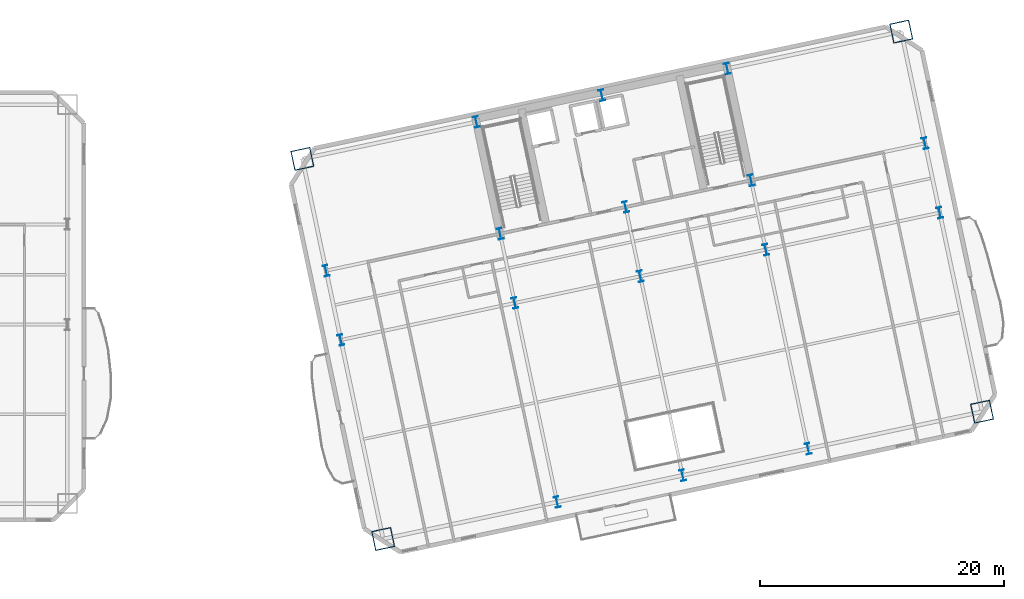
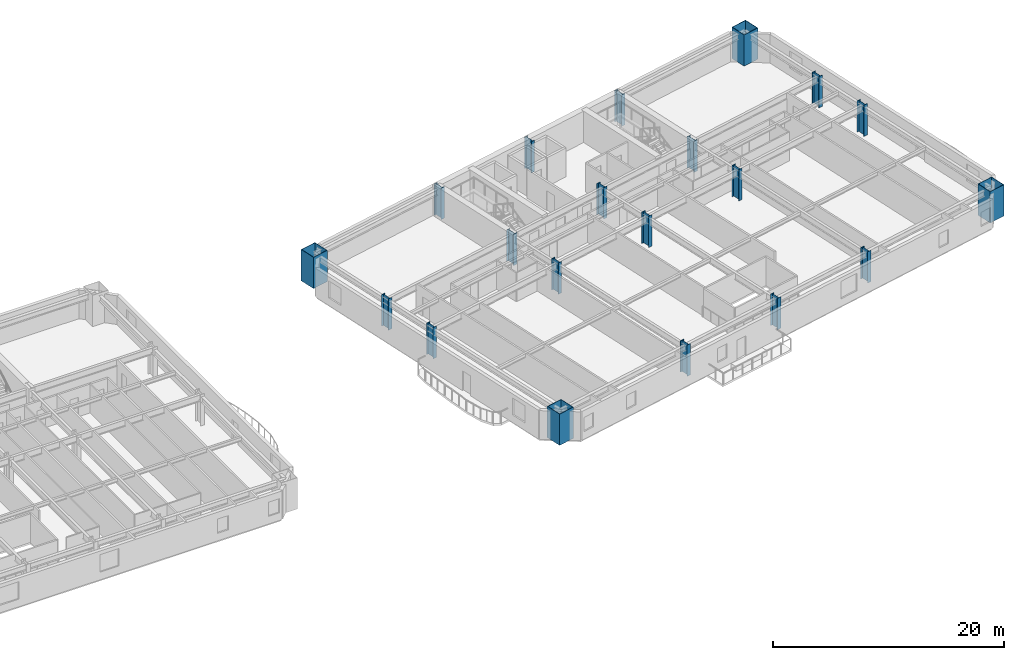
# One storey, part 2 of 17: 20 columns.
"""IFC4 building model written with IfcOpenShell, lengths in metres."""

from ifc_helpers import new_model, si_unit, direction, frame, origin, origin_2d, place, context, subcontext, project, spatial, hollow_rectangle, i_section, extrude, material, material_profile, profile_set, type_object, element, save


model = new_model("IFC4")

# Units and contexts
model_context = context("Model", 3, precision=1e-05, world=origin(), true_north=direction((0.0, 1.0)))
body_context = subcontext(model_context, "Body", "Model", "MODEL_VIEW")
ifc_project = project(units=[si_unit("LENGTHUNIT", "METRE"), si_unit("AREAUNIT", "SQUARE_METRE"), si_unit("VOLUMEUNIT", "CUBIC_METRE"), si_unit("PLANEANGLEUNIT", "RADIAN"), si_unit("MASSUNIT", "GRAM", prefix="KILO")], contexts=[model_context])

# Site, building, storey
site_placement = place(None, origin())
site = spatial("IfcSite", under=ifc_project, at=site_placement, CompositionType="ELEMENT")
building_placement = place(site_placement, origin())
building = spatial("IfcBuilding", under=site, at=building_placement, Name="Haevon Station Towers", CompositionType="ELEMENT")
storey_placement = place(building_placement, frame((0.0, 0.0, 33.89990234375)))
storey = spatial("IfcBuildingStorey", under=building, at=storey_placement, Name="L07", CompositionType="ELEMENT", Elevation=33.89990234375)

# Columns
ifc_material = material(Name="Steel S460", Category="steel")
ifc_material_profile_1 = material_profile(ifc_material, hollow_rectangle(XDim=1.60009765625, YDim=1.60009765625, WallThickness=0.0400390625, at=origin_2d()), Name="BOX-1600x1600x40")
ifc_profile_set_1 = profile_set([ifc_material_profile_1], Name="Steel S460")
column_type_1 = type_object("IfcColumnType", Name="COL-MC1", PredefinedType="COLUMN", material=ifc_profile_set_1)
for number, where, z_axis, x_axis, name in (
    (1, (89.18798828125, 12.457763671875, 0.0), (0.0, 0.0, 1.0), (0.978147600734, 0.207911690818, 0.0), "COL-T2-L07-01-01"),
    (2, (82.576416015625, 43.56298828125, 0.0), (0.0, 0.0, 1.0), (0.978147600734, 0.207911690818, 0.0), "COL-T2-L07-01-04"),
    (3, (138.193115234375, 22.874267578125, 0.0), (0.0, 0.0, 1.0), (0.978147600734, 0.207911690818, 0.0), "COL-T2-L07-05-01"),
    (4, (131.58154296875, 53.979248046875, 0.0), (0.0, 0.0, 1.0), (0.978147600734, 0.207911690818, 0.0), "COL-T2-L07-05-04"),
):
    element("IfcColumn", number, at=place(storey_placement, frame(where, z_axis=z_axis, x_axis=x_axis)), inside=storey, type_object=column_type_1, Name=name, PredefinedType="COLUMN", context=body_context, shape_type="SweptSolid", body=[
        extrude(hollow_rectangle(XDim=1.60009765625, YDim=1.60009765625, WallThickness=0.0400390625, at=origin_2d()), origin(), (0.0, 0.0, 1.0), 3.300048828125),
    ])
ifc_material_profile_2 = material_profile(ifc_material, i_section(OverallWidth=0.39990234375, OverallDepth=0.89990234375, WebThickness=0.02001953125, FlangeThickness=0.035888671875, at=origin_2d()), Name="H-900x400x20x36")
ifc_profile_set_2 = profile_set([ifc_material_profile_2], Name="Steel S460")
column_type_2 = type_object("IfcColumnType", Name="COL-TW1", PredefinedType="COLUMN", material=ifc_profile_set_2)
for number, where, z_axis, x_axis, name in (
    (5, (85.72607421875, 28.744140625, 0.0), (0.0, 0.0, 1.0), (0.978147600734, 0.207911690818, 0.0), "COL-T2-L07-01-02"),
    (6, (84.520263671875, 34.417236328125, 0.0), (0.0, 0.0, 1.0), (0.978147600734, 0.207911690818, 0.0), "COL-T2-L07-01-03"),
    (7, (103.419921875, 15.48291015625, 0.0), (0.0, 0.0, 1.0), (0.978147600734, 0.207911690818, 0.0), "COL-T2-L07-02-01"),
    (8, (99.958251953125, 31.76904296875, 0.0), (0.0, 0.0, 1.0), (0.978147600734, 0.207911690818, 0.0), "COL-T2-L07-02-02"),
    (9, (98.75244140625, 37.4423828125, 0.0), (0.0, 0.0, 1.0), (0.978147600734, 0.207911690818, 0.0), "COL-T2-L07-02-03"),
    (10, (96.808349609375, 46.588134765625, 0.0), (0.0, 0.0, 1.0), (0.978147600734, 0.207911690818, 0.0), "COL-T2-L07-02-04"),
    (11, (113.6904296875, 17.666015625, 0.0), (0.0, 0.0, 1.0), (0.978147600734, 0.207911690818, 0.0), "COL-T2-L07-03-01"),
    (12, (110.228759765625, 33.9521484375, 0.0), (0.0, 0.0, 1.0), (0.978147600734, 0.207911690818, 0.0), "COL-T2-L07-03-02"),
    (13, (109.02294921875, 39.62548828125, 0.0), (0.0, 0.0, 1.0), (0.978147600734, 0.207911690818, 0.0), "COL-T2-L07-03-03"),
    (14, (107.078857421875, 48.771240234375, 0.0), (0.0, 0.0, 1.0), (0.978147600734, 0.207911690818, 0.0), "COL-T2-L07-03-04"),
    (15, (123.961181640625, 19.84912109375, 0.0), (0.0, 0.0, 1.0), (0.978147600734, 0.207911690818, 0.0), "COL-T2-L07-04-01"),
    (16, (120.499267578125, 36.13525390625, 0.0), (0.0, 0.0, 1.0), (0.978147600734, 0.207911690818, 0.0), "COL-T2-L07-04-02"),
    (17, (119.29345703125, 41.80859375, 0.0), (0.0, 0.0, 1.0), (0.978147600734, 0.207911690818, 0.0), "COL-T2-L07-04-03"),
    (18, (117.349365234375, 50.954345703125, 0.0), (0.0, 0.0, 1.0), (0.978147600734, 0.207911690818, 0.0), "COL-T2-L07-04-04"),
    (19, (134.7314453125, 39.160400390625, 0.0), (0.0, 0.0, 1.0), (0.978147600734, 0.207911690818, 0.0), "COL-T2-L07-05-02"),
    (20, (133.525390625, 44.833740234375, 0.0), (0.0, 0.0, 1.0), (0.978147600734, 0.207911690818, 0.0), "COL-T2-L07-05-03"),
):
    element("IfcColumn", number, at=place(storey_placement, frame(where, z_axis=z_axis, x_axis=x_axis)), inside=storey, type_object=column_type_2, Name=name, PredefinedType="COLUMN", context=body_context, shape_type="SweptSolid", body=[
        extrude(i_section(OverallWidth=0.39990234375, OverallDepth=0.89990234375, WebThickness=0.02001953125, FlangeThickness=0.035888671875, at=origin_2d()), origin(), (0.0, 0.0, 1.0), 3.300048828125),
    ])

save(model, "model.ifc")
